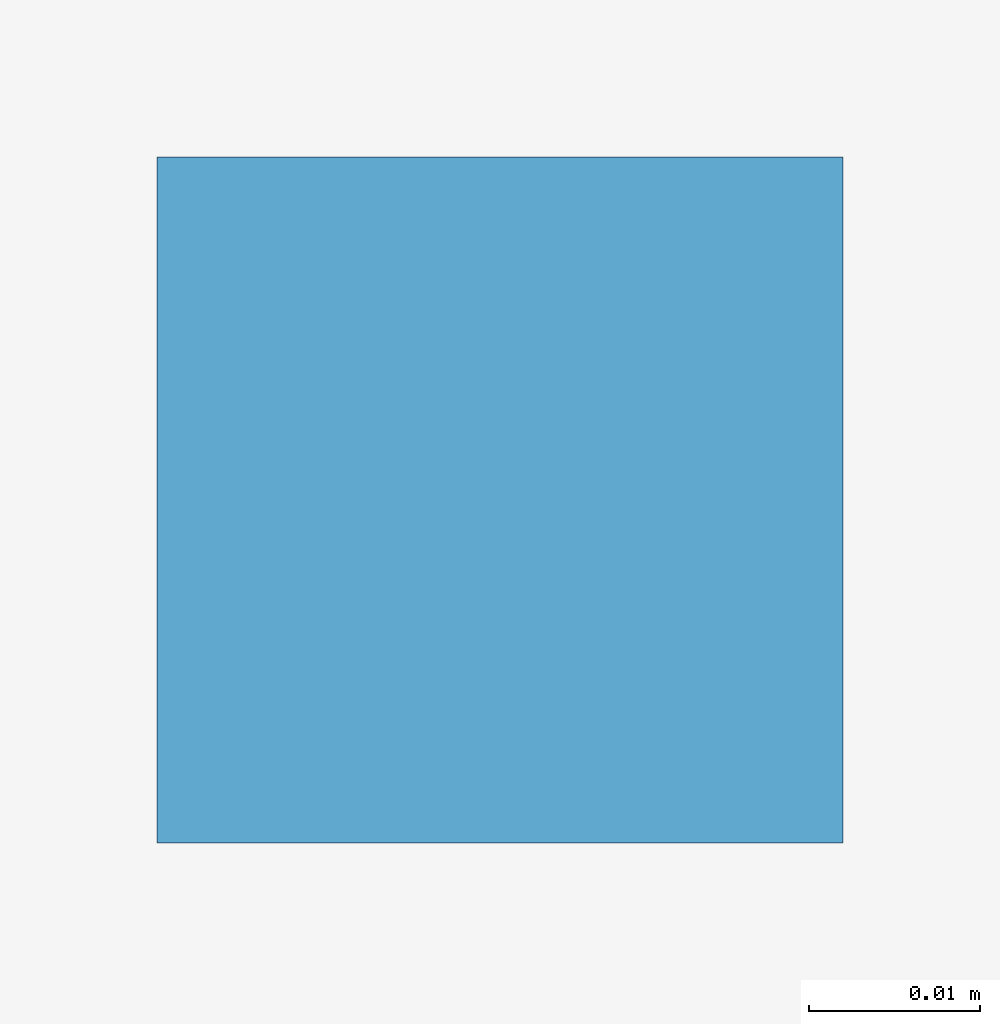
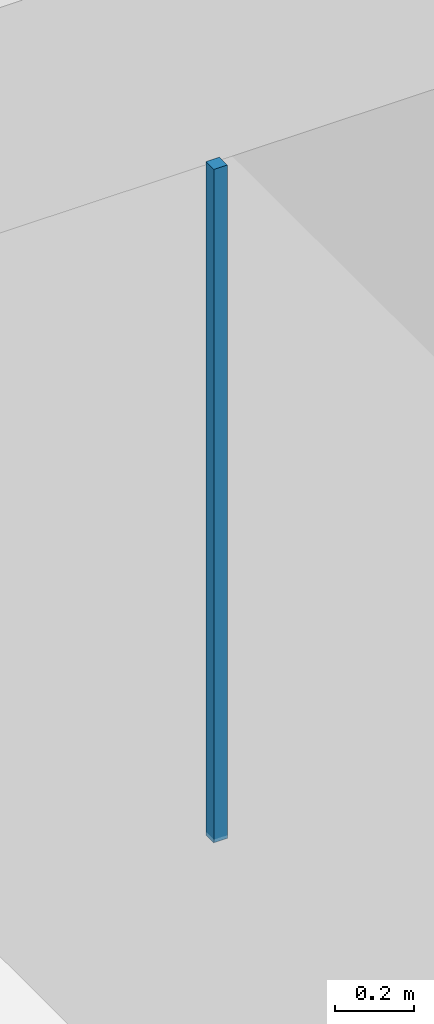
# One storey, part 128 of 157: 1 discrete accessory.
"""IFC4 building model written with IfcOpenShell, lengths in metres."""

import ifcopenshell
import ifcopenshell.guid

model = None  # the IFC model being written
_history = None  # IfcOwnerHistory: only IFC2X3 demands one
_inside = {}  # id of a spatial element -> (the spatial element, [elements in it])
_under = {}  # id of a project, library or spatial element -> (it, [spatial elements below it])
_declared = {}  # id of a project -> (the project, [libraries it declares])
_typed = {}  # id of a type object -> (the type object, [elements of that type])
_made_of = {}  # id of a material, layer set ... -> (it, [elements and type objects made of it])


def new_model(schema):
    """Start an empty IFC model of exactly this schema.

    Asked for "IFC4X3", IfcOpenShell would pick the latest addendum, in which some entities
    have other attributes; the version numbers below select the first issue.
    IFC2X3 requires an IfcOwnerHistory on every rooted entity: one is made here for all.
    """
    global model, _history
    if schema == "IFC4X3":
        model = ifcopenshell.file(schema_version=(4, 3, 0, 0))
    else:
        model = ifcopenshell.file(schema=schema)
    _inside.clear()
    _under.clear()
    _declared.clear()
    _typed.clear()
    _made_of.clear()
    _history = None
    if model.schema == "IFC2X3":
        org = make("IfcOrganization", Name="unknown")
        user = make(
            "IfcPersonAndOrganization",
            ThePerson=make("IfcPerson", FamilyName="unknown"),
            TheOrganization=org,
        )
        app = make(
            "IfcApplication",
            ApplicationDeveloper=org,
            Version="unknown",
            ApplicationFullName="unknown",
            ApplicationIdentifier="unknown",
        )
        _history = make(
            "IfcOwnerHistory",
            OwningUser=user,
            OwningApplication=app,
            ChangeAction="ADDED",
            CreationDate=0,
        )
    return model


def make(cls, **values):
    """One entity of the class cls with the attributes given. An attribute that is None is left unset."""
    return model.create_entity(
        cls, **{name: value for name, value in values.items() if value is not None}
    )


def rooted(cls, **values):
    """An entity with a GlobalId (a new one), such as an element, a storey or a relation."""
    return make(cls, GlobalId=ifcopenshell.guid.new(), OwnerHistory=_history, **values)


def si_unit(unit_type, name, prefix=None):
    """IfcSIUnit, for example si_unit("LENGTHUNIT", "METRE", prefix="MILLI")."""
    return make("IfcSIUnit", UnitType=unit_type, Prefix=prefix, Name=name)


def assignment(units):
    """IfcUnitAssignment: the units of a project."""
    return None if units is None else make("IfcUnitAssignment", Units=units)


def point(xyz):
    """IfcCartesianPoint."""
    return None if xyz is None else make("IfcCartesianPoint", Coordinates=xyz)


def direction(xyz):
    """IfcDirection."""
    return None if xyz is None else make("IfcDirection", DirectionRatios=xyz)


def frame(location, z_axis=None, x_axis=None):
    """IfcAxis2Placement3D, a coordinate frame: its origin and axes. An axis left out is left unset."""
    return make(
        "IfcAxis2Placement3D",
        Location=point(location),
        Axis=direction(z_axis),
        RefDirection=direction(x_axis),
    )


def frame_2d(location, x_axis=None):
    """IfcAxis2Placement2D, a coordinate frame in the plane: its origin and x axis."""
    return make(
        "IfcAxis2Placement2D", Location=point(location), RefDirection=direction(x_axis)
    )


def origin():
    """The frame at (0, 0, 0) with its axes left unset."""
    return frame((0.0, 0.0, 0.0))


def origin_2d():
    """The frame at (0, 0) in the plane with its x axis left unset."""
    return frame_2d((0.0, 0.0))


def place(relative_to, where):
    """IfcLocalPlacement: puts the frame where relative to a parent placement (None: the world)."""
    return make(
        "IfcLocalPlacement", PlacementRelTo=relative_to, RelativePlacement=where
    )


def context(
    kind, dimensions, precision=None, world=None, true_north=None, identifier=None
):
    """IfcGeometricRepresentationContext, for example the 3D "Model" context."""
    return make(
        "IfcGeometricRepresentationContext",
        ContextIdentifier=identifier,
        ContextType=kind,
        CoordinateSpaceDimension=dimensions,
        Precision=precision,
        WorldCoordinateSystem=world,
        TrueNorth=true_north,
    )


def subcontext(parent, identifier, kind, view, scale=None):
    """IfcGeometricRepresentationSubContext, for example "Body" below "Model"."""
    return make(
        "IfcGeometricRepresentationSubContext",
        ContextIdentifier=identifier,
        ContextType=kind,
        ParentContext=parent,
        TargetScale=scale,
        TargetView=view,
    )


def project(units=None, contexts=None):
    """IfcProject with its units and contexts."""
    return rooted(
        "IfcProject",
        Name="project",
        RepresentationContexts=contexts,
        UnitsInContext=assignment(units),
    )


def spatial(cls, under=None, at=None, **own):
    """A site, building, storey or space (cls), placed at a placement, below another one or the project."""
    s = rooted(cls, ObjectPlacement=at, **own)
    if under is not None:
        _under.setdefault(under.id(), (under, []))[1].append(s)
    return s


def profile(cls, at=None, kind="AREA", **sizes):
    """A parametric profile (cls). Its sizes go by their IFC names, for example OverallWidth=200.0."""
    return make(cls, ProfileType=kind, Position=at, **sizes)


def rectangle(**sizes):
    """IfcRectangleProfileDef."""
    return profile("IfcRectangleProfileDef", **sizes)


def extrude(swept, where, along, depth):
    """IfcExtrudedAreaSolid: the profile swept, set in the frame where, extruded along a direction by depth."""
    return make(
        "IfcExtrudedAreaSolid",
        SweptArea=swept,
        Position=where,
        ExtrudedDirection=direction(along),
        Depth=depth,
    )


def shape(context_of_items, identifier, shape_type, items):
    """IfcShapeRepresentation: the items that make up one representation, for example the "Body"."""
    return make(
        "IfcShapeRepresentation",
        ContextOfItems=context_of_items,
        RepresentationIdentifier=identifier,
        RepresentationType=shape_type,
        Items=items,
    )


def material(Name=None, Category=None):
    """IfcMaterial."""
    return make("IfcMaterial", Name=Name, Category=Category)


def made_of(thing, what):
    """Note that an element or type object is made of a material, layer set ...; save() writes the relation."""
    if what is not None:
        _made_of.setdefault(what.id(), (what, []))[1].append(thing)
    return thing


def type_object(cls, material=None, **own):
    """A type object (cls), such as IfcWallType, which elements share."""
    return made_of(rooted(cls, **own), material)


def element(
    cls,
    number,
    at=None,
    inside=None,
    cuts=None,
    type_object=None,
    material=None,
    context=None,
    identifier="Body",
    shape_type=None,
    held_by="IfcProductDefinitionShape",
    body=None,
    shapes=None,
    **own,
):
    """One element of the class cls, such as IfcWall. Its Tag is "e" and its number.

    at: its placement. inside: the storey or other place that contains it. cuts: it is an
    opening in that element (IfcRelVoidsElement). A single representation is given by context,
    identifier, shape_type and body (its items); several are given by shapes. held_by: the class
    of the entity that holds the representations. save() writes the other relations.
    """
    e = rooted(cls, Tag="e%d" % number, ObjectPlacement=at, **own)
    if body is not None:
        shapes = [shape(context, identifier, shape_type, body)]
    if shapes is not None:
        e.Representation = make(held_by, Representations=shapes)
    if inside is not None:
        _inside.setdefault(inside.id(), (inside, []))[1].append(e)
    if cuts is not None:
        rooted(
            "IfcRelVoidsElement", RelatingBuildingElement=cuts, RelatedOpeningElement=e
        )
    if type_object is not None:
        _typed.setdefault(type_object.id(), (type_object, []))[1].append(e)
    return made_of(e, material)


def aggregate(whole, parts):
    """IfcRelAggregates: a whole, such as a stair, and the parts it consists of."""
    return rooted("IfcRelAggregates", RelatingObject=whole, RelatedObjects=parts)


def save(model, path):
    """Write the relations noted so far, then the file.

    IfcRelAggregates (storeys below a building ...), IfcRelContainedInSpatialStructure (elements
    in a storey), IfcRelDefinesByType, IfcRelAssociatesMaterial and IfcRelDeclares: one each for
    every whole, place, type object, material and project.
    """
    for whole, parts in _under.values():
        aggregate(whole, parts)
    for where, things in _inside.values():
        rooted(
            "IfcRelContainedInSpatialStructure",
            RelatedElements=things,
            RelatingStructure=where,
        )
    for kind, things in _typed.values():
        rooted("IfcRelDefinesByType", RelatedObjects=things, RelatingType=kind)
    for what, things in _made_of.values():
        rooted("IfcRelAssociatesMaterial", RelatedObjects=things, RelatingMaterial=what)
    for by, libraries in _declared.values():
        rooted("IfcRelDeclares", RelatingContext=by, RelatedDefinitions=libraries)
    model.write(path)


model = new_model("IFC4")

# Units and contexts
model_context = context("Model", 3, precision=1e-05, world=origin(), true_north=direction((0.0, 1.0)))
body_context = subcontext(model_context, "Body", "Model", "MODEL_VIEW")
ifc_project = project(units=[si_unit("LENGTHUNIT", "METRE"), si_unit("AREAUNIT", "SQUARE_METRE"), si_unit("VOLUMEUNIT", "CUBIC_METRE"), si_unit("PLANEANGLEUNIT", "RADIAN"), si_unit("MASSUNIT", "GRAM", prefix="KILO")], contexts=[model_context])

# Site, building, storey
site_placement = place(None, origin())
site = spatial("IfcSite", under=ifc_project, at=site_placement, CompositionType="ELEMENT")
building_placement = place(site_placement, origin())
building = spatial("IfcBuilding", under=site, at=building_placement, Name="Varncliffe General Hospital", CompositionType="ELEMENT")
storey_placement = place(building_placement, frame((0.0, 0.0, 5.39990234375)))
storey = spatial("IfcBuildingStorey", under=building, at=storey_placement, Name="L01", CompositionType="ELEMENT", Elevation=5.39990234375)

# Discrete accessory
ifc_material = material(Name="Powder-coated hospital steel guardrail and handrail", Category="steel")
discrete_accessory_type = type_object("IfcDiscreteAccessoryType", Name="Suspended Ceiling Hanger Bracket CH01", PredefinedType="BRACKET", material=ifc_material)
discrete_accessory_placement = place(storey_placement, frame((111.199951171875, 108.199951171875, 3.18994140625), z_axis=(0.0, 0.0, 1.0), x_axis=(1.0, 0.0, 0.0)))
element("IfcDiscreteAccessory", 1, at=discrete_accessory_placement, inside=storey, type_object=discrete_accessory_type, Name="L01 Suspended Ceiling Hanger 116", PredefinedType="BRACKET", context=body_context, shape_type="SweptSolid", body=[
    extrude(rectangle(XDim=0.0400390625, YDim=0.0400390625, at=origin_2d()), origin(), (0.0, 0.0, 1.0), 2.090087890625),
])

save(model, "model.ifc")
